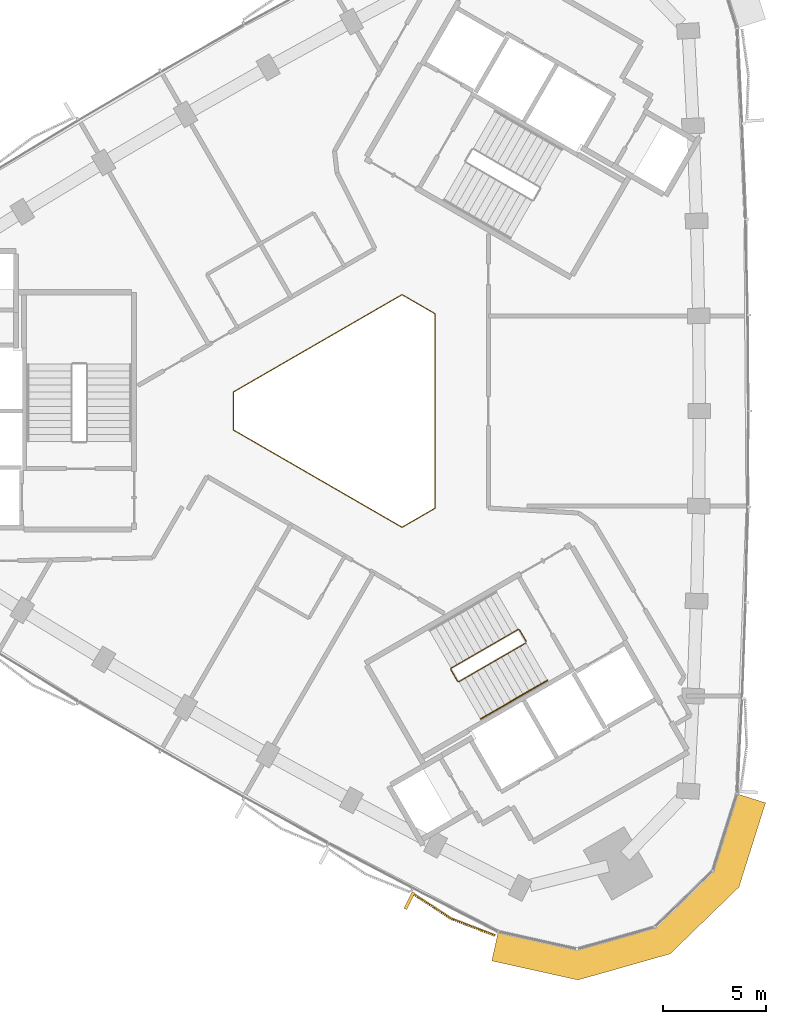
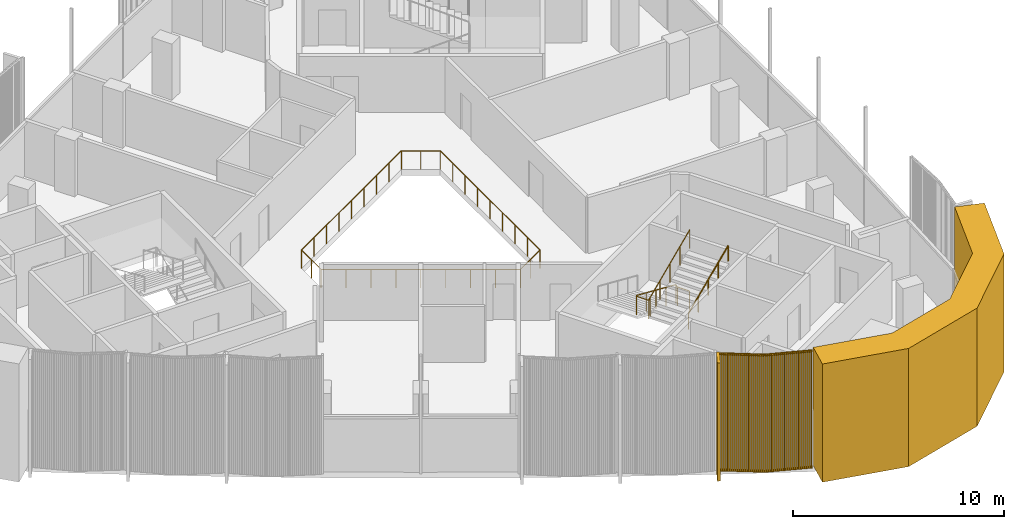
# One storey, part 13 of 16: 3 railings, 2 coverings.
"""IFC4 building model written with IfcOpenShell, lengths in metres."""

from ifc_helpers import new_model, si_unit, direction, frame, frame_2d, origin, origin_2d, place, context, subcontext, project, spatial, polyline, rectangle, circle, outline, extrude, source, transform, mapped, material, layer, layer_set, type_object, element, save


model = new_model("IFC4")

# Units and contexts
model_context = context("Model", 3, precision=1e-05, world=origin(), true_north=direction((0.0, 1.0)))
body_context = subcontext(model_context, "Body", "Model", "MODEL_VIEW")
ifc_project = project(units=[si_unit("LENGTHUNIT", "METRE"), si_unit("AREAUNIT", "SQUARE_METRE"), si_unit("VOLUMEUNIT", "CUBIC_METRE"), si_unit("PLANEANGLEUNIT", "RADIAN"), si_unit("MASSUNIT", "GRAM", prefix="KILO")], contexts=[model_context])

# Site, building, storey
site_placement = place(None, origin())
site = spatial("IfcSite", under=ifc_project, at=site_placement, CompositionType="ELEMENT")
building_placement = place(site_placement, origin())
building = spatial("IfcBuilding", under=site, at=building_placement, Name="Tamra Quay Hotel Tower", CompositionType="ELEMENT")
storey_placement = place(building_placement, frame((0.0, 0.0, 243.0)))
storey = spatial("IfcBuildingStorey", under=building, at=storey_placement, Name="L61", CompositionType="ELEMENT", Elevation=243.0)

# Covering
ifc_material_1 = material(Name="Precast concrete M60 terracotta-coloured", Category="masonry")
ifc_layer = layer(ifc_material_1, 1.449951171875)
ifc_layer_set = layer_set([ifc_layer], Name="CORNER PIER PANEL")
covering_type_1 = type_object("IfcCoveringType", Name="CORNER PIER PANEL", PredefinedType="CLADDING", material=ifc_layer_set)
covering_1_placement = place(storey_placement, origin())
element("IfcCovering", 1, at=covering_1_placement, inside=storey, type_object=covering_type_1, Name="Corner pier L61.south-west", PredefinedType="CLADDING", context=body_context, shape_type="SweptSolid", body=[
    extrude(outline(polyline([(6.880615234375, -25.343017578125), (6.567138671875, -26.758544921875), (10.763671875, -27.68798828125), (15.250732421875, -26.415283203125), (18.5966796875, -23.165771484375), (19.89013671875, -19.066650390625), (18.50732421875, -18.63037109375), (17.323974609375, -22.38037109375), (14.503173828125, -25.1201171875), (10.719970703125, -26.193115234375), (6.880615234375, -25.343017578125)])), origin(), (0.0, 0.0, 1.0), 6.85009765625),
])

# Railings
ifc_material_2 = material(Name="Guard atrium edge 1100")
railing_type_1 = type_object("IfcRailingType", Name="Guard atrium edge 1100", PredefinedType="GUARDRAIL", material=ifc_material_2)
railing_1_placement = place(storey_placement, frame((3.800048828125, -4.73388671875, 0.0)))
element("IfcRailing", 2, at=railing_1_placement, inside=storey, type_object=railing_type_1, Name="G-A", PredefinedType="GUARDRAIL", context=body_context, shape_type="SweptSolid", body=[
    extrude(circle(Radius=0.02392578125, at=origin_2d()), frame((0.0, 0.0, 1.076171875), z_axis=(-0.865965533559, -0.500103683937, 0.0), x_axis=(0.500103683937, -0.865965533559, 0.0)), (0.0, 0.0, 1.0), 1.84765625),
    extrude(circle(Radius=0.02392578125, at=origin_2d()), frame((-1.60009765625, -0.924072265625, 1.076171875), z_axis=(-0.86604174356, 0.49997169761, 0.0), x_axis=(-0.49997169761, -0.86604174356, 0.0)), (0.0, 0.0, 1.0), 9.46826171875),
    extrude(circle(Radius=0.02392578125, at=origin_2d()), frame((-9.800048828125, 3.809814453125, 1.076171875), z_axis=(0.0, 1.0, 0.0), x_axis=(-1.0, 0.0, 0.0)), (0.0, 0.0, 1.0), 1.84814453125),
    extrude(circle(Radius=0.02392578125, at=origin_2d()), frame((-9.800048828125, 5.657958984375, 1.076171875), z_axis=(0.86604174356, 0.49997169761, 0.0), x_axis=(-0.49997169761, 0.86604174356, 0.0)), (0.0, 0.0, 1.0), 9.46826171875),
    extrude(circle(Radius=0.02392578125, at=origin_2d()), frame((-1.60009765625, 10.391845703125, 1.076171875), z_axis=(0.865965533559, -0.500103683937, 0.0), x_axis=(0.500103683937, 0.865965533559, 0.0)), (0.0, 0.0, 1.0), 1.84765625),
    extrude(circle(Radius=0.02392578125, at=origin_2d()), frame((0.0, 9.4677734375, 1.076171875), z_axis=(0.0, -1.0, 0.0), x_axis=(1.0, 0.0, 0.0)), (0.0, 0.0, 1.0), 9.4677734375),
    extrude(circle(Radius=0.02099609375, at=origin_2d()), origin(), (0.0, 0.0, 1.0), 1.052001953125),
    extrude(circle(Radius=0.02099609375, at=origin_2d()), frame((-0.800048828125, -0.4619140625, 0.0)), (0.0, 0.0, 1.0), 1.052001953125),
    extrude(circle(Radius=0.02099609375, at=origin_2d()), frame((-1.60009765625, -0.924072265625, 0.0)), (0.0, 0.0, 1.0), 1.052001953125),
    extrude(circle(Radius=0.02099609375, at=origin_2d()), frame((-2.625, -0.332275390625, 0.0)), (0.0, 0.0, 1.0), 1.052001953125),
    extrude(circle(Radius=0.02099609375, at=origin_2d()), frame((-3.650146484375, 0.25927734375, 0.0)), (0.0, 0.0, 1.0), 1.052001953125),
    extrude(circle(Radius=0.02099609375, at=origin_2d()), frame((-4.675048828125, 0.85107421875, 0.0)), (0.0, 0.0, 1.0), 1.052001953125),
    extrude(circle(Radius=0.02099609375, at=origin_2d()), frame((-5.7001953125, 1.44287109375, 0.0)), (0.0, 0.0, 1.0), 1.052001953125),
    extrude(circle(Radius=0.02099609375, at=origin_2d()), frame((-6.72509765625, 2.03466796875, 0.0)), (0.0, 0.0, 1.0), 1.052001953125),
    extrude(circle(Radius=0.02099609375, at=origin_2d()), frame((-7.75, 2.62646484375, 0.0)), (0.0, 0.0, 1.0), 1.052001953125),
    extrude(circle(Radius=0.02099609375, at=origin_2d()), frame((-8.775146484375, 3.218017578125, 0.0)), (0.0, 0.0, 1.0), 1.052001953125),
    extrude(circle(Radius=0.02099609375, at=origin_2d()), frame((-9.800048828125, 3.809814453125, 0.0)), (0.0, 0.0, 1.0), 1.052001953125),
    extrude(circle(Radius=0.02099609375, at=origin_2d()), frame((-9.800048828125, 4.73388671875, 0.0)), (0.0, 0.0, 1.0), 1.052001953125),
    extrude(circle(Radius=0.02099609375, at=origin_2d()), frame((-9.800048828125, 5.657958984375, 0.0)), (0.0, 0.0, 1.0), 1.052001953125),
    extrude(circle(Radius=0.02099609375, at=origin_2d()), frame((-8.775146484375, 6.249755859375, 0.0)), (0.0, 0.0, 1.0), 1.052001953125),
    extrude(circle(Radius=0.02099609375, at=origin_2d()), frame((-7.75, 6.84130859375, 0.0)), (0.0, 0.0, 1.0), 1.052001953125),
    extrude(circle(Radius=0.02099609375, at=origin_2d()), frame((-6.72509765625, 7.43310546875, 0.0)), (0.0, 0.0, 1.0), 1.052001953125),
    extrude(circle(Radius=0.02099609375, at=origin_2d()), frame((-5.7001953125, 8.02490234375, 0.0)), (0.0, 0.0, 1.0), 1.052001953125),
    extrude(circle(Radius=0.02099609375, at=origin_2d()), frame((-4.675048828125, 8.61669921875, 0.0)), (0.0, 0.0, 1.0), 1.052001953125),
    extrude(circle(Radius=0.02099609375, at=origin_2d()), frame((-3.650146484375, 9.20849609375, 0.0)), (0.0, 0.0, 1.0), 1.052001953125),
    extrude(circle(Radius=0.02099609375, at=origin_2d()), frame((-2.625, 9.800048828125, 0.0)), (0.0, 0.0, 1.0), 1.052001953125),
    extrude(circle(Radius=0.02099609375, at=origin_2d()), frame((-1.60009765625, 10.391845703125, 0.0)), (0.0, 0.0, 1.0), 1.052001953125),
    extrude(circle(Radius=0.02099609375, at=origin_2d()), frame((-0.800048828125, 9.9296875, 0.0)), (0.0, 0.0, 1.0), 1.052001953125),
    extrude(circle(Radius=0.02099609375, at=origin_2d()), frame((0.0, 9.4677734375, 0.0)), (0.0, 0.0, 1.0), 1.052001953125),
    extrude(circle(Radius=0.02099609375, at=origin_2d()), frame((0.0, 8.2841796875, 0.0)), (0.0, 0.0, 1.0), 1.052001953125),
    extrude(circle(Radius=0.02099609375, at=origin_2d()), frame((0.0, 7.100830078125, 0.0)), (0.0, 0.0, 1.0), 1.052001953125),
    extrude(circle(Radius=0.02099609375, at=origin_2d()), frame((0.0, 5.91748046875, 0.0)), (0.0, 0.0, 1.0), 1.052001953125),
    extrude(circle(Radius=0.02099609375, at=origin_2d()), frame((0.0, 4.73388671875, 0.0)), (0.0, 0.0, 1.0), 1.052001953125),
    extrude(circle(Radius=0.02099609375, at=origin_2d()), frame((0.0, 3.55029296875, 0.0)), (0.0, 0.0, 1.0), 1.052001953125),
    extrude(circle(Radius=0.02099609375, at=origin_2d()), frame((0.0, 2.366943359375, 0.0)), (0.0, 0.0, 1.0), 1.052001953125),
    extrude(circle(Radius=0.02099609375, at=origin_2d()), frame((0.0, 1.18359375, 0.0)), (0.0, 0.0, 1.0), 1.052001953125),
])
ifc_material_3 = material(Name="Stair guard 1100")
railing_type_2 = type_object("IfcRailingType", Name="Stair guard 1100", PredefinedType="GUARDRAIL", material=ifc_material_3)
railing_2_placement = place(storey_placement, frame((8.245849609375, -11.221923828125, 0.0)))
element("IfcRailing", 3, at=railing_2_placement, inside=storey, type_object=railing_type_2, Name="GR", PredefinedType="GUARDRAIL", context=body_context, shape_type="SweptSolid", body=[
    extrude(circle(Radius=0.02392578125, at=origin_2d()), frame((0.0, 0.0, 1.076171875), z_axis=(-0.500043078269, 0.866000531106, 0.0), x_axis=(-0.866000531106, -0.500043078269, 0.0)), (0.0, 0.0, 1.0), 0.6591796875),
    extrude(circle(Radius=0.02392578125, at=origin_2d()), frame((-0.32958984375, 0.57080078125, 1.076171875), z_axis=(-0.41238007866, 0.110458949641, 0.904290601062), x_axis=(-0.258736085224, -0.965948051503, 0.0)), (0.0, 0.0, 1.0), 0.165771484375),
    extrude(circle(Radius=0.02392578125, at=origin_2d()), frame((-0.39794921875, 0.589111328125, 1.22607421875), z_axis=(-0.793081581205, -0.457901355053, 0.401681409319), x_axis=(0.500012686397, -0.866018079166, 0.0)), (0.0, 0.0, 1.0), 4.108154296875),
    extrude(circle(Radius=0.02392578125, at=origin_2d()), frame((-3.656005859375, -1.2919921875, 2.8759765625), z_axis=(-0.256368644879, -0.966579080015, 0.0), x_axis=(0.966579080015, -0.256368644879, 0.0)), (0.0, 0.0, 1.0), 0.070556640625),
    extrude(circle(Radius=0.02392578125, at=origin_2d()), frame((-3.674072265625, -1.360107421875, 2.8759765625), z_axis=(0.499765215335, -0.866160914346, 0.0), x_axis=(0.866160914346, 0.499765215335, 0.0)), (0.0, 0.0, 1.0), 0.658935546875),
    extrude(circle(Radius=0.02392578125, at=origin_2d()), frame((-3.3447265625, -1.930908203125, 2.8759765625), z_axis=(0.41238007866, -0.110458949641, 0.904290601062), x_axis=(0.258736085224, 0.965948051503, 0.0)), (0.0, 0.0, 1.0), 0.165771484375),
    extrude(circle(Radius=0.02392578125, at=origin_2d()), frame((-3.2763671875, -1.94921875, 3.02587890625), z_axis=(0.793081581205, 0.457901355053, 0.401681409319), x_axis=(-0.500012686397, 0.866018079166, 0.0)), (0.0, 0.0, 1.0), 4.108154296875),
    extrude(circle(Radius=0.02099609375, at=origin_2d()), origin(), (0.0, 0.0, 1.0), 1.052001953125),
    extrude(circle(Radius=0.02099609375, at=origin_2d()), frame((-0.32958984375, 0.57080078125, 0.0)), (0.0, 0.0, 1.0), 1.052001953125),
    extrude(circle(Radius=0.02099609375, at=origin_2d()), frame((-0.39794921875, 0.589111328125, 0.14990234375)), (0.0, 0.0, 1.0), 1.052001953125),
    extrude(circle(Radius=0.02099609375, at=origin_2d()), frame((-1.21240234375, 0.118896484375, 0.5625)), (0.0, 0.0, 1.0), 1.052001953125),
    extrude(circle(Radius=0.02099609375, at=origin_2d()), frame((-2.02685546875, -0.3515625, 0.97509765625)), (0.0, 0.0, 1.0), 1.052001953125),
    extrude(circle(Radius=0.02099609375, at=origin_2d()), frame((-2.841552734375, -0.82177734375, 1.387451171875)), (0.0, 0.0, 1.0), 1.052001953125),
    extrude(circle(Radius=0.02099609375, at=origin_2d()), frame((-3.656005859375, -1.2919921875, 1.800048828125)), (0.0, 0.0, 1.0), 1.052001953125),
    extrude(circle(Radius=0.02099609375, at=origin_2d()), frame((-3.674072265625, -1.360107421875, 1.800048828125)), (0.0, 0.0, 1.0), 1.052001953125),
    extrude(circle(Radius=0.02099609375, at=origin_2d()), frame((-3.3447265625, -1.930908203125, 1.800048828125)), (0.0, 0.0, 1.0), 1.052001953125),
    extrude(circle(Radius=0.02099609375, at=origin_2d()), frame((-3.2763671875, -1.94921875, 1.949951171875)), (0.0, 0.0, 1.0), 1.052001953125),
    extrude(circle(Radius=0.02099609375, at=origin_2d()), frame((-2.4619140625, -1.47900390625, 2.362548828125)), (0.0, 0.0, 1.0), 1.052001953125),
    extrude(circle(Radius=0.02099609375, at=origin_2d()), frame((-1.6474609375, -1.0087890625, 2.77490234375)), (0.0, 0.0, 1.0), 1.052001953125),
    extrude(circle(Radius=0.02099609375, at=origin_2d()), frame((-0.832763671875, -0.538330078125, 3.1875)), (0.0, 0.0, 1.0), 1.052001953125),
    extrude(circle(Radius=0.02099609375, at=origin_2d()), frame((-0.018310546875, -0.068115234375, 3.60009765625)), (0.0, 0.0, 1.0), 1.052001953125),
])
ifc_material_4 = material(Name="Stair handrail 900")
railing_type_3 = type_object("IfcRailingType", Name="Stair handrail 900", PredefinedType="HANDRAIL", material=ifc_material_4)
railing_3_placement = place(storey_placement, frame((6.01953125, -14.98974609375, 1.949951171875)))
element("IfcRailing", 4, at=railing_3_placement, inside=storey, type_object=railing_type_3, Name="HR", PredefinedType="HANDRAIL", context=body_context, shape_type="SweptSolid", body=[
    extrude(circle(Radius=0.02392578125, at=origin_2d()), frame((0.0, 0.0, 0.8759765625), z_axis=(0.793081112945, 0.457875966286, 0.40171127416), x_axis=(-0.499992114976, 0.866029956157, 0.0)), (0.0, 0.0, 1.0), 4.10791015625),
    extrude(circle(Radius=0.02099609375, at=origin_2d()), origin(), (0.0, 0.0, 1.0), 0.851806640625),
    extrude(circle(Radius=0.02099609375, at=origin_2d()), frame((0.814453125, 0.47021484375, 0.41259765625)), (0.0, 0.0, 1.0), 0.851806640625),
    extrude(circle(Radius=0.02099609375, at=origin_2d()), frame((1.62890625, 0.9404296875, 0.8251953125)), (0.0, 0.0, 1.0), 0.851806640625),
    extrude(circle(Radius=0.02099609375, at=origin_2d()), frame((2.443359375, 1.41064453125, 1.237548828125)), (0.0, 0.0, 1.0), 0.851806640625),
    extrude(circle(Radius=0.02099609375, at=origin_2d()), frame((3.2578125, 1.880859375, 1.650146484375)), (0.0, 0.0, 1.0), 0.851806640625),
])

# Covering
ifc_material_5 = material(Name="Terracotta baguette extruded", Category="masonry")
covering_type_2 = type_object("IfcCoveringType", Name="BAGUETTE SCREEN SW-V H6850", PredefinedType="USERDEFINED", material=ifc_material_5)
shared_shape = source(origin(), body_context, "Body", "SweptSolid", [
    extrude(rectangle(XDim=2.295166015625, YDim=0.06005859375, at=frame_2d((1.1474609375, 0.030029296875))), frame((-2.288818359375, -0.0576171875, -0.1201171875), z_axis=(0.0, 0.0, 1.0), x_axis=(0.994521895368, -0.104528463268, 0.0)), (0.0, 0.0, 1.0), 0.1201171875),
    extrude(rectangle(XDim=2.295166015625, YDim=0.06005859375, at=frame_2d((1.1474609375, 0.030029296875))), frame((-2.288818359375, -0.0576171875, -6.85009765625), z_axis=(0.0, 0.0, 1.0), x_axis=(0.994521895368, -0.104528463268, 0.0)), (0.0, 0.0, 1.0), 0.1201171875),
    extrude(rectangle(XDim=0.070068359375, YDim=0.10009765625, at=frame_2d((0.03515625, 0.050048828125))), frame((-2.267822265625, -0.13330078125, -6.7900390625)), (0.0, 0.0, 1.0), 6.72998046875),
    extrude(rectangle(XDim=0.070068359375, YDim=0.10009765625, at=frame_2d((0.03515625, 0.050048828125))), frame((-2.168701171875, -0.1435546875, -6.7900390625)), (0.0, 0.0, 1.0), 6.72998046875),
    extrude(rectangle(XDim=0.070068359375, YDim=0.10009765625, at=frame_2d((0.03515625, 0.050048828125))), frame((-2.0693359375, -0.154052734375, -6.7900390625)), (0.0, 0.0, 1.0), 6.72998046875),
    extrude(rectangle(XDim=0.070068359375, YDim=0.10009765625, at=frame_2d((0.03515625, 0.050048828125))), frame((-1.97021484375, -0.16455078125, -6.7900390625)), (0.0, 0.0, 1.0), 6.72998046875),
    extrude(rectangle(XDim=0.070068359375, YDim=0.10009765625, at=frame_2d((0.03515625, 0.050048828125))), frame((-1.870849609375, -0.175048828125, -6.7900390625)), (0.0, 0.0, 1.0), 6.72998046875),
    extrude(rectangle(XDim=0.070068359375, YDim=0.10009765625, at=frame_2d((0.03515625, 0.050048828125))), frame((-1.771728515625, -0.185302734375, -6.7900390625)), (0.0, 0.0, 1.0), 6.72998046875),
    extrude(rectangle(XDim=0.070068359375, YDim=0.10009765625, at=frame_2d((0.03515625, 0.050048828125))), frame((-1.67236328125, -0.19580078125, -6.7900390625)), (0.0, 0.0, 1.0), 6.72998046875),
    extrude(rectangle(XDim=0.070068359375, YDim=0.10009765625, at=frame_2d((0.03515625, 0.050048828125))), frame((-1.5732421875, -0.206298828125, -6.7900390625)), (0.0, 0.0, 1.0), 6.72998046875),
    extrude(rectangle(XDim=0.070068359375, YDim=0.10009765625, at=frame_2d((0.03515625, 0.050048828125))), frame((-1.473876953125, -0.216552734375, -6.7900390625)), (0.0, 0.0, 1.0), 6.72998046875),
    extrude(rectangle(XDim=0.070068359375, YDim=0.10009765625, at=frame_2d((0.03515625, 0.050048828125))), frame((-1.374755859375, -0.22705078125, -6.7900390625)), (0.0, 0.0, 1.0), 6.72998046875),
    extrude(rectangle(XDim=0.070068359375, YDim=0.10009765625, at=frame_2d((0.03515625, 0.050048828125))), frame((-1.275390625, -0.237548828125, -6.7900390625)), (0.0, 0.0, 1.0), 6.72998046875),
    extrude(rectangle(XDim=0.070068359375, YDim=0.10009765625, at=frame_2d((0.03515625, 0.050048828125))), frame((-1.17626953125, -0.248046875, -6.7900390625)), (0.0, 0.0, 1.0), 6.72998046875),
    extrude(rectangle(XDim=0.070068359375, YDim=0.10009765625, at=frame_2d((0.03515625, 0.050048828125))), frame((-1.076904296875, -0.25830078125, -6.7900390625)), (0.0, 0.0, 1.0), 6.72998046875),
    extrude(rectangle(XDim=0.070068359375, YDim=0.10009765625, at=frame_2d((0.03515625, 0.050048828125))), frame((-0.977783203125, -0.268798828125, -6.7900390625)), (0.0, 0.0, 1.0), 6.72998046875),
    extrude(rectangle(XDim=0.070068359375, YDim=0.10009765625, at=frame_2d((0.03515625, 0.050048828125))), frame((-0.87841796875, -0.279296875, -6.7900390625)), (0.0, 0.0, 1.0), 6.72998046875),
    extrude(rectangle(XDim=0.070068359375, YDim=0.10009765625, at=frame_2d((0.03515625, 0.050048828125))), frame((-0.779296875, -0.28955078125, -6.7900390625)), (0.0, 0.0, 1.0), 6.72998046875),
    extrude(rectangle(XDim=0.070068359375, YDim=0.10009765625, at=frame_2d((0.03515625, 0.050048828125))), frame((-0.679931640625, -0.300048828125, -6.7900390625)), (0.0, 0.0, 1.0), 6.72998046875),
    extrude(rectangle(XDim=0.070068359375, YDim=0.10009765625, at=frame_2d((0.03515625, 0.050048828125))), frame((-0.580810546875, -0.310546875, -6.7900390625)), (0.0, 0.0, 1.0), 6.72998046875),
    extrude(rectangle(XDim=0.070068359375, YDim=0.10009765625, at=frame_2d((0.03515625, 0.050048828125))), frame((-0.481689453125, -0.321044921875, -6.7900390625)), (0.0, 0.0, 1.0), 6.72998046875),
    extrude(rectangle(XDim=0.070068359375, YDim=0.10009765625, at=frame_2d((0.03515625, 0.050048828125))), frame((-0.38232421875, -0.331298828125, -6.7900390625)), (0.0, 0.0, 1.0), 6.72998046875),
    extrude(rectangle(XDim=0.070068359375, YDim=0.10009765625, at=frame_2d((0.03515625, 0.050048828125))), frame((-0.283203125, -0.341796875, -6.7900390625)), (0.0, 0.0, 1.0), 6.72998046875),
    extrude(rectangle(XDim=0.070068359375, YDim=0.10009765625, at=frame_2d((0.03515625, 0.050048828125))), frame((-0.183837890625, -0.352294921875, -6.7900390625)), (0.0, 0.0, 1.0), 6.72998046875),
    extrude(rectangle(XDim=0.070068359375, YDim=0.10009765625, at=frame_2d((0.03515625, 0.050048828125))), frame((-0.084716796875, -0.36279296875, -6.7900390625)), (0.0, 0.0, 1.0), 6.72998046875),
    extrude(rectangle(XDim=2.295166015625, YDim=0.06005859375, at=frame_2d((1.1474609375, 0.030029296875))), frame((0.00634765625, -0.297607421875, -0.1201171875), z_axis=(0.0, 0.0, 1.0), x_axis=(0.994521895368, 0.104528463268, 0.0)), (0.0, 0.0, 1.0), 0.1201171875),
    extrude(rectangle(XDim=2.295166015625, YDim=0.06005859375, at=frame_2d((1.1474609375, 0.030029296875))), frame((0.00634765625, -0.297607421875, -6.85009765625), z_axis=(0.0, 0.0, 1.0), x_axis=(0.994521895368, 0.104528463268, 0.0)), (0.0, 0.0, 1.0), 0.1201171875),
    extrude(rectangle(XDim=0.070068359375, YDim=0.10009765625, at=frame_2d((0.03515625, 0.050048828125))), frame((0.0146484375, -0.36279296875, -6.7900390625)), (0.0, 0.0, 1.0), 6.72998046875),
    extrude(rectangle(XDim=0.070068359375, YDim=0.10009765625, at=frame_2d((0.03515625, 0.050048828125))), frame((0.11376953125, -0.352294921875, -6.7900390625)), (0.0, 0.0, 1.0), 6.72998046875),
    extrude(rectangle(XDim=0.070068359375, YDim=0.10009765625, at=frame_2d((0.03515625, 0.050048828125))), frame((0.213134765625, -0.341796875, -6.7900390625)), (0.0, 0.0, 1.0), 6.72998046875),
    extrude(rectangle(XDim=0.070068359375, YDim=0.10009765625, at=frame_2d((0.03515625, 0.050048828125))), frame((0.312255859375, -0.331298828125, -6.7900390625)), (0.0, 0.0, 1.0), 6.72998046875),
    extrude(rectangle(XDim=0.070068359375, YDim=0.10009765625, at=frame_2d((0.03515625, 0.050048828125))), frame((0.41162109375, -0.321044921875, -6.7900390625)), (0.0, 0.0, 1.0), 6.72998046875),
    extrude(rectangle(XDim=0.070068359375, YDim=0.10009765625, at=frame_2d((0.03515625, 0.050048828125))), frame((0.5107421875, -0.310546875, -6.7900390625)), (0.0, 0.0, 1.0), 6.72998046875),
    extrude(rectangle(XDim=0.070068359375, YDim=0.10009765625, at=frame_2d((0.03515625, 0.050048828125))), frame((0.610107421875, -0.300048828125, -6.7900390625)), (0.0, 0.0, 1.0), 6.72998046875),
    extrude(rectangle(XDim=0.070068359375, YDim=0.10009765625, at=frame_2d((0.03515625, 0.050048828125))), frame((0.709228515625, -0.28955078125, -6.7900390625)), (0.0, 0.0, 1.0), 6.72998046875),
    extrude(rectangle(XDim=0.070068359375, YDim=0.10009765625, at=frame_2d((0.03515625, 0.050048828125))), frame((0.80859375, -0.279296875, -6.7900390625)), (0.0, 0.0, 1.0), 6.72998046875),
    extrude(rectangle(XDim=0.070068359375, YDim=0.10009765625, at=frame_2d((0.03515625, 0.050048828125))), frame((0.90771484375, -0.268798828125, -6.7900390625)), (0.0, 0.0, 1.0), 6.72998046875),
    extrude(rectangle(XDim=0.070068359375, YDim=0.10009765625, at=frame_2d((0.03515625, 0.050048828125))), frame((1.007080078125, -0.25830078125, -6.7900390625)), (0.0, 0.0, 1.0), 6.72998046875),
    extrude(rectangle(XDim=0.070068359375, YDim=0.10009765625, at=frame_2d((0.03515625, 0.050048828125))), frame((1.106201171875, -0.248046875, -6.7900390625)), (0.0, 0.0, 1.0), 6.72998046875),
    extrude(rectangle(XDim=0.070068359375, YDim=0.10009765625, at=frame_2d((0.03515625, 0.050048828125))), frame((1.20556640625, -0.237548828125, -6.7900390625)), (0.0, 0.0, 1.0), 6.72998046875),
    extrude(rectangle(XDim=0.070068359375, YDim=0.10009765625, at=frame_2d((0.03515625, 0.050048828125))), frame((1.3046875, -0.22705078125, -6.7900390625)), (0.0, 0.0, 1.0), 6.72998046875),
    extrude(rectangle(XDim=0.070068359375, YDim=0.10009765625, at=frame_2d((0.03515625, 0.050048828125))), frame((1.404052734375, -0.216552734375, -6.7900390625)), (0.0, 0.0, 1.0), 6.72998046875),
    extrude(rectangle(XDim=0.070068359375, YDim=0.10009765625, at=frame_2d((0.03515625, 0.050048828125))), frame((1.503173828125, -0.206298828125, -6.7900390625)), (0.0, 0.0, 1.0), 6.72998046875),
    extrude(rectangle(XDim=0.070068359375, YDim=0.10009765625, at=frame_2d((0.03515625, 0.050048828125))), frame((1.6025390625, -0.19580078125, -6.7900390625)), (0.0, 0.0, 1.0), 6.72998046875),
    extrude(rectangle(XDim=0.070068359375, YDim=0.10009765625, at=frame_2d((0.03515625, 0.050048828125))), frame((1.70166015625, -0.185302734375, -6.7900390625)), (0.0, 0.0, 1.0), 6.72998046875),
    extrude(rectangle(XDim=0.070068359375, YDim=0.10009765625, at=frame_2d((0.03515625, 0.050048828125))), frame((1.801025390625, -0.175048828125, -6.7900390625)), (0.0, 0.0, 1.0), 6.72998046875),
    extrude(rectangle(XDim=0.070068359375, YDim=0.10009765625, at=frame_2d((0.03515625, 0.050048828125))), frame((1.900146484375, -0.16455078125, -6.7900390625)), (0.0, 0.0, 1.0), 6.72998046875),
    extrude(rectangle(XDim=0.070068359375, YDim=0.10009765625, at=frame_2d((0.03515625, 0.050048828125))), frame((1.99951171875, -0.154052734375, -6.7900390625)), (0.0, 0.0, 1.0), 6.72998046875),
    extrude(rectangle(XDim=0.070068359375, YDim=0.10009765625, at=frame_2d((0.03515625, 0.050048828125))), frame((2.0986328125, -0.1435546875, -6.7900390625)), (0.0, 0.0, 1.0), 6.72998046875),
    extrude(rectangle(XDim=0.070068359375, YDim=0.10009765625, at=frame_2d((0.03515625, 0.050048828125))), frame((2.197998046875, -0.13330078125, -6.7900390625)), (0.0, 0.0, 1.0), 6.72998046875),
    extrude(rectangle(XDim=0.14990234375, YDim=0.902099609375, at=frame_2d((0.074951171875, 0.451171875))), frame((-2.282470703125, -0.89990234375, -6.85009765625)), (0.0, 0.0, 1.0), 6.85009765625),
])
covering_2_placement = place(storey_placement, frame((4.729248046875, -24.432861328125, 6.85009765625), z_axis=(0.0, 0.0, 1.0), x_axis=(0.890581934038, -0.454822843276, 0.0)))
element("IfcCovering", 5, at=covering_2_placement, inside=storey, type_object=covering_type_2, Name="Baguette screen L61.SW.f07", ObjectType="BAGUETTE SCREEN", PredefinedType="USERDEFINED", context=body_context, shape_type="MappedRepresentation", body=[
    mapped(shared_shape, transform((0.0, 0.0, 0.0), scale=1.0)),
])

save(model, "model.ifc")
